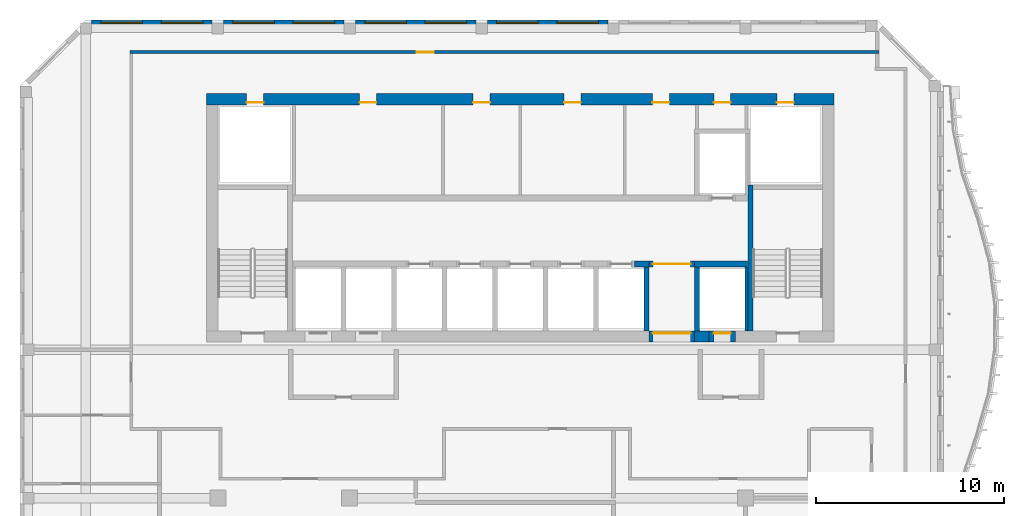
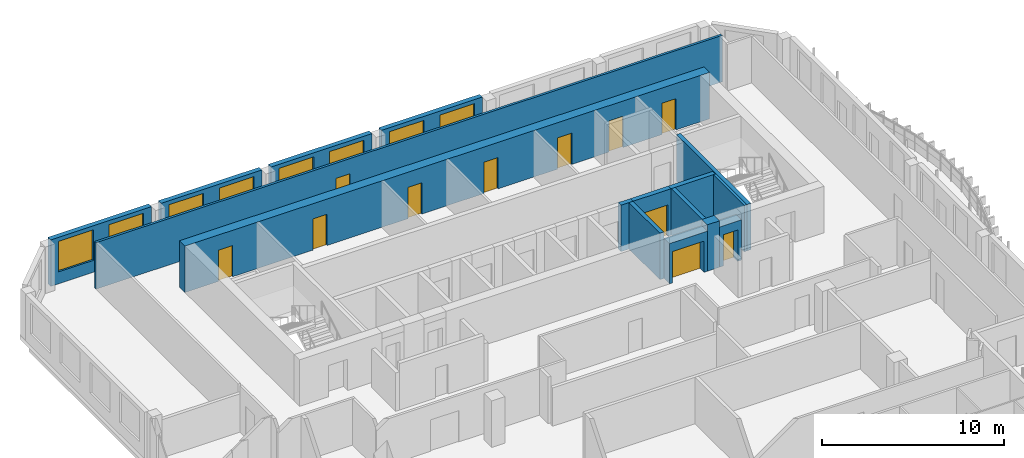
# One storey, part 7 of 17: 16 walls, 11 doors, 8 windows, 19 openings.
"""IFC4 building model written with IfcOpenShell, lengths in metres."""

import ifcopenshell
import ifcopenshell.guid

model = None  # the IFC model being written
_history = None  # IfcOwnerHistory: only IFC2X3 demands one
_inside = {}  # id of a spatial element -> (the spatial element, [elements in it])
_under = {}  # id of a project, library or spatial element -> (it, [spatial elements below it])
_declared = {}  # id of a project -> (the project, [libraries it declares])
_typed = {}  # id of a type object -> (the type object, [elements of that type])
_made_of = {}  # id of a material, layer set ... -> (it, [elements and type objects made of it])


def new_model(schema):
    """Start an empty IFC model of exactly this schema.

    Asked for "IFC4X3", IfcOpenShell would pick the latest addendum, in which some entities
    have other attributes; the version numbers below select the first issue.
    IFC2X3 requires an IfcOwnerHistory on every rooted entity: one is made here for all.
    """
    global model, _history
    if schema == "IFC4X3":
        model = ifcopenshell.file(schema_version=(4, 3, 0, 0))
    else:
        model = ifcopenshell.file(schema=schema)
    _inside.clear()
    _under.clear()
    _declared.clear()
    _typed.clear()
    _made_of.clear()
    _history = None
    if model.schema == "IFC2X3":
        org = make("IfcOrganization", Name="unknown")
        user = make(
            "IfcPersonAndOrganization",
            ThePerson=make("IfcPerson", FamilyName="unknown"),
            TheOrganization=org,
        )
        app = make(
            "IfcApplication",
            ApplicationDeveloper=org,
            Version="unknown",
            ApplicationFullName="unknown",
            ApplicationIdentifier="unknown",
        )
        _history = make(
            "IfcOwnerHistory",
            OwningUser=user,
            OwningApplication=app,
            ChangeAction="ADDED",
            CreationDate=0,
        )
    return model


def make(cls, **values):
    """One entity of the class cls with the attributes given. An attribute that is None is left unset."""
    return model.create_entity(
        cls, **{name: value for name, value in values.items() if value is not None}
    )


def rooted(cls, **values):
    """An entity with a GlobalId (a new one), such as an element, a storey or a relation."""
    return make(cls, GlobalId=ifcopenshell.guid.new(), OwnerHistory=_history, **values)


def si_unit(unit_type, name, prefix=None):
    """IfcSIUnit, for example si_unit("LENGTHUNIT", "METRE", prefix="MILLI")."""
    return make("IfcSIUnit", UnitType=unit_type, Prefix=prefix, Name=name)


def assignment(units):
    """IfcUnitAssignment: the units of a project."""
    return None if units is None else make("IfcUnitAssignment", Units=units)


def point(xyz):
    """IfcCartesianPoint."""
    return None if xyz is None else make("IfcCartesianPoint", Coordinates=xyz)


def direction(xyz):
    """IfcDirection."""
    return None if xyz is None else make("IfcDirection", DirectionRatios=xyz)


def frame(location, z_axis=None, x_axis=None):
    """IfcAxis2Placement3D, a coordinate frame: its origin and axes. An axis left out is left unset."""
    return make(
        "IfcAxis2Placement3D",
        Location=point(location),
        Axis=direction(z_axis),
        RefDirection=direction(x_axis),
    )


def frame_2d(location, x_axis=None):
    """IfcAxis2Placement2D, a coordinate frame in the plane: its origin and x axis."""
    return make(
        "IfcAxis2Placement2D", Location=point(location), RefDirection=direction(x_axis)
    )


def origin():
    """The frame at (0, 0, 0) with its axes left unset."""
    return frame((0.0, 0.0, 0.0))


def place(relative_to, where):
    """IfcLocalPlacement: puts the frame where relative to a parent placement (None: the world)."""
    return make(
        "IfcLocalPlacement", PlacementRelTo=relative_to, RelativePlacement=where
    )


def context(
    kind, dimensions, precision=None, world=None, true_north=None, identifier=None
):
    """IfcGeometricRepresentationContext, for example the 3D "Model" context."""
    return make(
        "IfcGeometricRepresentationContext",
        ContextIdentifier=identifier,
        ContextType=kind,
        CoordinateSpaceDimension=dimensions,
        Precision=precision,
        WorldCoordinateSystem=world,
        TrueNorth=true_north,
    )


def subcontext(parent, identifier, kind, view, scale=None):
    """IfcGeometricRepresentationSubContext, for example "Body" below "Model"."""
    return make(
        "IfcGeometricRepresentationSubContext",
        ContextIdentifier=identifier,
        ContextType=kind,
        ParentContext=parent,
        TargetScale=scale,
        TargetView=view,
    )


def project(units=None, contexts=None):
    """IfcProject with its units and contexts."""
    return rooted(
        "IfcProject",
        Name="project",
        RepresentationContexts=contexts,
        UnitsInContext=assignment(units),
    )


def spatial(cls, under=None, at=None, **own):
    """A site, building, storey or space (cls), placed at a placement, below another one or the project."""
    s = rooted(cls, ObjectPlacement=at, **own)
    if under is not None:
        _under.setdefault(under.id(), (under, []))[1].append(s)
    return s


def profile(cls, at=None, kind="AREA", **sizes):
    """A parametric profile (cls). Its sizes go by their IFC names, for example OverallWidth=200.0."""
    return make(cls, ProfileType=kind, Position=at, **sizes)


def rectangle(**sizes):
    """IfcRectangleProfileDef."""
    return profile("IfcRectangleProfileDef", **sizes)


def extrude(swept, where, along, depth):
    """IfcExtrudedAreaSolid: the profile swept, set in the frame where, extruded along a direction by depth."""
    return make(
        "IfcExtrudedAreaSolid",
        SweptArea=swept,
        Position=where,
        ExtrudedDirection=direction(along),
        Depth=depth,
    )


def shape(context_of_items, identifier, shape_type, items):
    """IfcShapeRepresentation: the items that make up one representation, for example the "Body"."""
    return make(
        "IfcShapeRepresentation",
        ContextOfItems=context_of_items,
        RepresentationIdentifier=identifier,
        RepresentationType=shape_type,
        Items=items,
    )


def source(mapping_origin, context_of_items, identifier, shape_type, items):
    """IfcRepresentationMap: a shape defined once, which mapped items show again and again."""
    return make(
        "IfcRepresentationMap",
        MappingOrigin=mapping_origin,
        MappedRepresentation=shape(context_of_items, identifier, shape_type, items),
    )


def transform(
    local_origin,
    x_axis=None,
    y_axis=None,
    z_axis=None,
    scale=None,
    scale2=None,
    scale3=None,
    uniform=True,
):
    """IfcCartesianTransformationOperator3D, or its non-uniform kind. x_axis, y_axis, z_axis: its Axis1, 2, 3."""
    if uniform:
        return make(
            "IfcCartesianTransformationOperator3D",
            Axis1=direction(x_axis),
            Axis2=direction(y_axis),
            LocalOrigin=point(local_origin),
            Scale=scale,
            Axis3=direction(z_axis),
        )
    return make(
        "IfcCartesianTransformationOperator3DnonUniform",
        Axis1=direction(x_axis),
        Axis2=direction(y_axis),
        LocalOrigin=point(local_origin),
        Scale=scale,
        Axis3=direction(z_axis),
        Scale2=scale2,
        Scale3=scale3,
    )


def mapped(mapping_source, mapping_target):
    """IfcMappedItem: shows the shape of a source again, moved by a transform."""
    return make(
        "IfcMappedItem", MappingSource=mapping_source, MappingTarget=mapping_target
    )


def material(Name=None, Category=None):
    """IfcMaterial."""
    return make("IfcMaterial", Name=Name, Category=Category)


def layer(
    of_material, thickness, ventilated=None, Name=None, Category=None, Priority=None
):
    """IfcMaterialLayer: one layer of a wall or slab, of a material (None: an air gap)."""
    return make(
        "IfcMaterialLayer",
        Material=of_material,
        LayerThickness=thickness,
        IsVentilated=ventilated,
        Name=Name,
        Category=Category,
        Priority=Priority,
    )


def layer_set(layers, Name=None):
    """IfcMaterialLayerSet."""
    return make("IfcMaterialLayerSet", MaterialLayers=layers, LayerSetName=Name)


def made_of(thing, what):
    """Note that an element or type object is made of a material, layer set ...; save() writes the relation."""
    if what is not None:
        _made_of.setdefault(what.id(), (what, []))[1].append(thing)
    return thing


def type_object(cls, material=None, **own):
    """A type object (cls), such as IfcWallType, which elements share."""
    return made_of(rooted(cls, **own), material)


def element(
    cls,
    number,
    at=None,
    inside=None,
    cuts=None,
    type_object=None,
    material=None,
    context=None,
    identifier="Body",
    shape_type=None,
    held_by="IfcProductDefinitionShape",
    body=None,
    shapes=None,
    **own,
):
    """One element of the class cls, such as IfcWall. Its Tag is "e" and its number.

    at: its placement. inside: the storey or other place that contains it. cuts: it is an
    opening in that element (IfcRelVoidsElement). A single representation is given by context,
    identifier, shape_type and body (its items); several are given by shapes. held_by: the class
    of the entity that holds the representations. save() writes the other relations.
    """
    e = rooted(cls, Tag="e%d" % number, ObjectPlacement=at, **own)
    if body is not None:
        shapes = [shape(context, identifier, shape_type, body)]
    if shapes is not None:
        e.Representation = make(held_by, Representations=shapes)
    if inside is not None:
        _inside.setdefault(inside.id(), (inside, []))[1].append(e)
    if cuts is not None:
        rooted(
            "IfcRelVoidsElement", RelatingBuildingElement=cuts, RelatedOpeningElement=e
        )
    if type_object is not None:
        _typed.setdefault(type_object.id(), (type_object, []))[1].append(e)
    return made_of(e, material)


def fill(opening, filler):
    """IfcRelFillsElement: the door or window that sits in an opening."""
    return rooted(
        "IfcRelFillsElement",
        RelatingOpeningElement=opening,
        RelatedBuildingElement=filler,
    )


def aggregate(whole, parts):
    """IfcRelAggregates: a whole, such as a stair, and the parts it consists of."""
    return rooted("IfcRelAggregates", RelatingObject=whole, RelatedObjects=parts)


def save(model, path):
    """Write the relations noted so far, then the file.

    IfcRelAggregates (storeys below a building ...), IfcRelContainedInSpatialStructure (elements
    in a storey), IfcRelDefinesByType, IfcRelAssociatesMaterial and IfcRelDeclares: one each for
    every whole, place, type object, material and project.
    """
    for whole, parts in _under.values():
        aggregate(whole, parts)
    for where, things in _inside.values():
        rooted(
            "IfcRelContainedInSpatialStructure",
            RelatedElements=things,
            RelatingStructure=where,
        )
    for kind, things in _typed.values():
        rooted("IfcRelDefinesByType", RelatedObjects=things, RelatingType=kind)
    for what, things in _made_of.values():
        rooted("IfcRelAssociatesMaterial", RelatedObjects=things, RelatingMaterial=what)
    for by, libraries in _declared.values():
        rooted("IfcRelDeclares", RelatingContext=by, RelatedDefinitions=libraries)
    model.write(path)


model = new_model("IFC4")

# Units and contexts
model_context = context("Model", 3, precision=1e-05, world=origin(), true_north=direction((0.0, 1.0)))
body_context = subcontext(model_context, "Body", "Model", "MODEL_VIEW")
ifc_project = project(units=[si_unit("LENGTHUNIT", "METRE"), si_unit("AREAUNIT", "SQUARE_METRE"), si_unit("VOLUMEUNIT", "CUBIC_METRE"), si_unit("PLANEANGLEUNIT", "RADIAN"), si_unit("MASSUNIT", "GRAM", prefix="KILO")], contexts=[model_context])

# Site, building, storey
site_placement = place(None, origin())
site = spatial("IfcSite", under=ifc_project, at=site_placement, CompositionType="ELEMENT")
building_placement = place(site_placement, origin())
building = spatial("IfcBuilding", under=site, at=building_placement, Name="Kilnfold Tower and Market Hall", CompositionType="ELEMENT")
storey_placement = place(building_placement, frame((0.0, 0.0, 301.800048828125)))
storey = spatial("IfcBuildingStorey", under=building, at=storey_placement, Name="L75", CompositionType="ELEMENT", Elevation=301.800048828125)

# Wall, opening, door
ifc_material_1 = material(Name="Gypsum board on steel studs", Category="steel")
ifc_layer_1 = layer(ifc_material_1, 0.14990234375)
ifc_layer_set_1 = layer_set([ifc_layer_1], Name="Gypsum board on steel studs")
wall_type_1 = type_object("IfcWallType", Name="WALL CORRIDOR 150", PredefinedType="PARTITIONING", material=ifc_layer_set_1)
wall_1_placement = place(storey_placement, frame((20.087890625, 23.800048828125, 0.0), z_axis=(0.0, 0.0, 1.0), x_axis=(-1.0, 0.0, 0.0)))
wall_1 = element("IfcWall", 1, at=wall_1_placement, inside=storey, type_object=wall_type_1, Name="Partition LY45.8", PredefinedType="PARTITIONING", context=body_context, shape_type="SweptSolid", body=[
    extrude(rectangle(XDim=39.762939453125, YDim=0.14990234375, at=frame_2d((19.88134765625, 0.0))), origin(), (0.0, 0.0, 1.0), 3.119873046875),
])
opening_1_placement = place(wall_1_placement, frame((23.637939453125, 0.0, 0.0)))
opening_1 = element("IfcOpeningElement", 2, at=opening_1_placement, cuts=wall_1, Name="Opening D2", PredefinedType="OPENING", context=body_context, shape_type="SweptSolid", body=[
    extrude(rectangle(XDim=0.89990234375, YDim=2.10009765625, at=frame_2d((0.449951171875, 1.050048828125))), frame((0.0, 0.0849609375, 0.0), z_axis=(0.0, -1.0, 0.0), x_axis=(1.0, 0.0, 0.0)), (0.0, 0.0, 1.0), 0.169921875),
])
ifc_material_2 = material(Name="Timber veneer door leaf in steel frame", Category="steel")
door_type_1 = type_object("IfcDoorType", Name="DOOR ROOM 900 X2100", OperationType="NOTDEFINED", PredefinedType="DOOR", material=ifc_material_2)
door_1_placement = place(opening_1_placement, origin())
door_1 = element("IfcDoor", 3, at=door_1_placement, inside=storey, type_object=door_type_1, Name="Door D2", OperationType="SINGLE_SWING_LEFT", OverallHeight=2.10009765625, OverallWidth=0.89990234375, PredefinedType="DOOR", context=body_context, shape_type="SweptSolid", body=[
    extrude(rectangle(XDim=0.89990234375, YDim=2.10009765625, at=frame_2d((0.449951171875, 1.050048828125))), frame((0.0, 0.02490234375, 0.0), z_axis=(0.0, -1.0, 0.0), x_axis=(1.0, 0.0, 0.0)), (0.0, 0.0, 1.0), 0.050048828125),
])
fill(opening_1, door_1)

# Walls
ifc_material_3 = material(Name="Concrete C50", Category="concrete")
ifc_layer_2 = layer(ifc_material_3, 0.25)
ifc_layer_set_2 = layer_set([ifc_layer_2], Name="Concrete C50")
wall_type_2 = type_object("IfcWallType", Name="CORE WALL 250 C50", PredefinedType="SHEAR", material=ifc_layer_set_2)
shared_shape_1 = source(origin(), body_context, "Body", "SweptSolid", [
    extrude(rectangle(XDim=7.75, YDim=0.25, at=frame_2d((3.875, 0.0))), origin(), (0.0, 0.0, 1.0), 3.119873046875),
])
wall_2_placement = place(storey_placement, frame((13.27490234375, 9.0, 0.0), z_axis=(0.0, 0.0, 1.0), x_axis=(0.0, 1.0, 0.0)))
element("IfcWall", 4, at=wall_2_placement, inside=storey, type_object=wall_type_2, Name="Stair enclosure ST2", PredefinedType="SHEAR", context=body_context, shape_type="MappedRepresentation", body=[
    mapped(shared_shape_1, transform((0.0, 0.0, 0.0))),
])
ifc_material_4 = material(Name="Concrete C50", Category="concrete")
ifc_layer_3 = layer(ifc_material_4, 0.300048828125)
ifc_layer_set_3 = layer_set([ifc_layer_3], Name="Concrete C50")
wall_type_3 = type_object("IfcWallType", Name="CORE WALL 300 C50", PredefinedType="SHEAR", material=ifc_layer_set_3)
shared_shape_2 = source(origin(), body_context, "Body", "SweptSolid", [
    extrude(rectangle(XDim=0.77978515625, YDim=0.300048828125, at=frame_2d((0.389892578125, 0.0))), origin(), (0.0, 0.0, 1.0), 3.119873046875),
])
wall_3_placement = place(storey_placement, frame((7.110107421875, 12.550048828125, 0.0), z_axis=(0.0, 0.0, 1.0), x_axis=(1.0, 0.0, 0.0)))
element("IfcWall", 5, at=wall_3_placement, inside=storey, type_object=wall_type_3, Name="Core spine wall", PredefinedType="SHEAR", context=body_context, shape_type="MappedRepresentation", body=[
    mapped(shared_shape_2, transform((0.0, 0.0, 0.0))),
])
shared_shape_3 = source(origin(), body_context, "Body", "SweptSolid", [
    extrude(rectangle(XDim=2.820068359375, YDim=0.300048828125, at=frame_2d((1.41015625, 0.0))), origin(), (0.0, 0.0, 1.0), 3.119873046875),
])
wall_4_placement = place(storey_placement, frame((10.2900390625, 12.550048828125, 0.0), z_axis=(0.0, 0.0, 1.0), x_axis=(1.0, 0.0, 0.0)))
element("IfcWall", 6, at=wall_4_placement, inside=storey, type_object=wall_type_3, Name="Core spine wall", PredefinedType="SHEAR", context=body_context, shape_type="MappedRepresentation", body=[
    mapped(shared_shape_3, transform((0.0, 0.0, 0.0))),
])
ifc_material_5 = material(Name="Concrete C50", Category="concrete")
ifc_layer_4 = layer(ifc_material_5, 0.60009765625)
ifc_layer_set_4 = layer_set([ifc_layer_4], Name="Concrete C50")
wall_type_4 = type_object("IfcWallType", Name="CORE WALL 600 C50", PredefinedType="SHEAR", material=ifc_layer_set_4)
shared_shape_4 = source(origin(), body_context, "Body", "SweptSolid", [
    extrude(rectangle(XDim=0.780029296875, YDim=0.60009765625, at=frame_2d((0.39013671875, 0.0))), origin(), (0.0, 0.0, 1.0), 3.119873046875),
])
wall_5_placement = place(storey_placement, frame((10.2900390625, 8.699951171875, 0.0), z_axis=(0.0, 0.0, 1.0), x_axis=(1.0, 0.0, 0.0)))
element("IfcWall", 7, at=wall_5_placement, inside=storey, type_object=wall_type_4, Name="Core outer wall south", PredefinedType="SHEAR", context=body_context, shape_type="MappedRepresentation", body=[
    mapped(shared_shape_4, transform((0.0, 0.0, 0.0))),
])

# Wall, openings, doors
shared_shape_5 = source(origin(), body_context, "Body", "SweptSolid", [
    extrude(rectangle(XDim=33.300048828125, YDim=0.60009765625, at=frame_2d((16.64990234375, 0.0))), origin(), (0.0, 0.0, 1.0), 3.119873046875),
])
wall_6_placement = place(storey_placement, frame((-15.60009765625, 21.300048828125, 0.0), z_axis=(0.0, 0.0, 1.0), x_axis=(1.0, 0.0, 0.0)))
wall_6 = element("IfcWall", 8, at=wall_6_placement, inside=storey, type_object=wall_type_4, Name="Core outer wall north", PredefinedType="SHEAR", context=body_context, shape_type="MappedRepresentation", body=[
    mapped(shared_shape_5, transform((0.0, 0.0, 0.0))),
])
opening_2_placement = place(wall_6_placement, frame((8.119873046875, 0.0, 0.0)))
opening_2 = element("IfcOpeningElement", 9, at=opening_2_placement, cuts=wall_6, Name="Opening KD1", PredefinedType="OPENING", context=body_context, shape_type="SweptSolid", body=[
    extrude(rectangle(XDim=0.89990234375, YDim=2.10009765625, at=frame_2d((0.449951171875, 1.050048828125))), frame((0.0, 0.31005859375, 0.0), z_axis=(0.0, -1.0, 0.0), x_axis=(1.0, 0.0, 0.0)), (0.0, 0.0, 1.0), 0.6201171875),
])
opening_3_placement = place(wall_6_placement, frame((14.14990234375, 0.0, 0.0)))
opening_3 = element("IfcOpeningElement", 10, at=opening_3_placement, cuts=wall_6, Name="Opening KD1", PredefinedType="OPENING", context=body_context, shape_type="SweptSolid", body=[
    extrude(rectangle(XDim=0.89990234375, YDim=2.10009765625, at=frame_2d((0.449951171875, 1.050048828125))), frame((0.0, 0.31005859375, 0.0), z_axis=(0.0, -1.0, 0.0), x_axis=(1.0, 0.0, 0.0)), (0.0, 0.0, 1.0), 0.6201171875),
])
opening_4_placement = place(wall_6_placement, frame((18.973876953125, 0.0, 0.0)))
opening_4 = element("IfcOpeningElement", 11, at=opening_4_placement, cuts=wall_6, Name="Opening KD1", PredefinedType="OPENING", context=body_context, shape_type="SweptSolid", body=[
    extrude(rectangle(XDim=0.89990234375, YDim=2.10009765625, at=frame_2d((0.449951171875, 1.050048828125))), frame((0.0, 0.31005859375, 0.0), z_axis=(0.0, -1.0, 0.0), x_axis=(1.0, 0.0, 0.0)), (0.0, 0.0, 1.0), 0.6201171875),
])
opening_5_placement = place(wall_6_placement, frame((23.663818359375, 0.0, 0.0)))
opening_5 = element("IfcOpeningElement", 12, at=opening_5_placement, cuts=wall_6, Name="Opening KD1", PredefinedType="OPENING", context=body_context, shape_type="SweptSolid", body=[
    extrude(rectangle(XDim=0.89990234375, YDim=2.10009765625, at=frame_2d((0.449951171875, 1.050048828125))), frame((0.0, 0.31005859375, 0.0), z_axis=(0.0, -1.0, 0.0), x_axis=(1.0, 0.0, 0.0)), (0.0, 0.0, 1.0), 0.6201171875),
])
opening_6_placement = place(wall_6_placement, frame((26.919921875, 0.0, 0.0)))
opening_6 = element("IfcOpeningElement", 13, at=opening_6_placement, cuts=wall_6, Name="Opening KD1", PredefinedType="OPENING", context=body_context, shape_type="SweptSolid", body=[
    extrude(rectangle(XDim=0.89990234375, YDim=2.10009765625, at=frame_2d((0.449951171875, 1.050048828125))), frame((0.0, 0.31005859375, 0.0), z_axis=(0.0, -1.0, 0.0), x_axis=(1.0, 0.0, 0.0)), (0.0, 0.0, 1.0), 0.6201171875),
])
opening_7_placement = place(wall_6_placement, frame((2.125, 0.0, 0.0)))
opening_7 = element("IfcOpeningElement", 14, at=opening_7_placement, cuts=wall_6, Name="Opening KD1", PredefinedType="OPENING", context=body_context, shape_type="SweptSolid", body=[
    extrude(rectangle(XDim=0.89990234375, YDim=2.10009765625, at=frame_2d((0.449951171875, 1.050048828125))), frame((0.0, 0.31005859375, 0.0), z_axis=(0.0, -1.0, 0.0), x_axis=(1.0, 0.0, 0.0)), (0.0, 0.0, 1.0), 0.6201171875),
])
opening_8_placement = place(wall_6_placement, frame((30.27490234375, 0.0, 0.0)))
opening_8 = element("IfcOpeningElement", 15, at=opening_8_placement, cuts=wall_6, Name="Opening KD1", PredefinedType="OPENING", context=body_context, shape_type="SweptSolid", body=[
    extrude(rectangle(XDim=0.89990234375, YDim=2.10009765625, at=frame_2d((0.449951171875, 1.050048828125))), frame((0.0, 0.31005859375, 0.0), z_axis=(0.0, -1.0, 0.0), x_axis=(1.0, 0.0, 0.0)), (0.0, 0.0, 1.0), 0.6201171875),
])
ifc_material_6 = material(Name="Steel door set with fire-resisting leaf", Category="steel")
door_type_2 = type_object("IfcDoorType", Name="SERVICE DOOR 900X2100", OperationType="NOTDEFINED", PredefinedType="DOOR", material=ifc_material_6)
door_2_placement = place(opening_2_placement, origin())
door_2 = element("IfcDoor", 16, at=door_2_placement, inside=storey, type_object=door_type_2, Name="Core service door", OperationType="SINGLE_SWING_RIGHT", OverallHeight=2.10009765625, OverallWidth=0.89990234375, PredefinedType="DOOR", context=body_context, shape_type="SweptSolid", body=[
    extrude(rectangle(XDim=0.89990234375, YDim=2.10009765625, at=frame_2d((0.449951171875, 1.050048828125))), frame((0.0, -0.15478515625, 0.0), z_axis=(0.0, -1.0, 0.0), x_axis=(1.0, 0.0, 0.0)), (0.0, 0.0, 1.0), 0.050048828125),
])
fill(opening_2, door_2)
door_3_placement = place(opening_3_placement, origin())
door_3 = element("IfcDoor", 17, at=door_3_placement, inside=storey, type_object=door_type_2, Name="Core service door", OperationType="SINGLE_SWING_LEFT", OverallHeight=2.10009765625, OverallWidth=0.89990234375, PredefinedType="DOOR", context=body_context, shape_type="SweptSolid", body=[
    extrude(rectangle(XDim=0.89990234375, YDim=2.10009765625, at=frame_2d((0.449951171875, 1.050048828125))), frame((0.0, -0.15478515625, 0.0), z_axis=(0.0, -1.0, 0.0), x_axis=(1.0, 0.0, 0.0)), (0.0, 0.0, 1.0), 0.050048828125),
])
fill(opening_3, door_3)
door_4_placement = place(opening_4_placement, origin())
door_4 = element("IfcDoor", 18, at=door_4_placement, inside=storey, type_object=door_type_2, Name="Core service door", OperationType="SINGLE_SWING_RIGHT", OverallHeight=2.10009765625, OverallWidth=0.89990234375, PredefinedType="DOOR", context=body_context, shape_type="SweptSolid", body=[
    extrude(rectangle(XDim=0.89990234375, YDim=2.10009765625, at=frame_2d((0.449951171875, 1.050048828125))), frame((0.0, -0.15478515625, 0.0), z_axis=(0.0, -1.0, 0.0), x_axis=(1.0, 0.0, 0.0)), (0.0, 0.0, 1.0), 0.050048828125),
])
fill(opening_4, door_4)
door_5_placement = place(opening_5_placement, origin())
door_5 = element("IfcDoor", 19, at=door_5_placement, inside=storey, type_object=door_type_2, Name="Core service door", OperationType="SINGLE_SWING_LEFT", OverallHeight=2.10009765625, OverallWidth=0.89990234375, PredefinedType="DOOR", context=body_context, shape_type="SweptSolid", body=[
    extrude(rectangle(XDim=0.89990234375, YDim=2.10009765625, at=frame_2d((0.449951171875, 1.050048828125))), frame((0.0, -0.15478515625, 0.0), z_axis=(0.0, -1.0, 0.0), x_axis=(1.0, 0.0, 0.0)), (0.0, 0.0, 1.0), 0.050048828125),
])
fill(opening_5, door_5)
door_6_placement = place(opening_6_placement, origin())
door_6 = element("IfcDoor", 20, at=door_6_placement, inside=storey, type_object=door_type_2, Name="Core service door", OperationType="SINGLE_SWING_RIGHT", OverallHeight=2.10009765625, OverallWidth=0.89990234375, PredefinedType="DOOR", context=body_context, shape_type="SweptSolid", body=[
    extrude(rectangle(XDim=0.89990234375, YDim=2.10009765625, at=frame_2d((0.449951171875, 1.050048828125))), frame((0.0, -0.15478515625, 0.0), z_axis=(0.0, -1.0, 0.0), x_axis=(1.0, 0.0, 0.0)), (0.0, 0.0, 1.0), 0.050048828125),
])
fill(opening_6, door_6)
door_7_placement = place(opening_7_placement, origin())
door_7 = element("IfcDoor", 21, at=door_7_placement, inside=storey, type_object=door_type_2, Name="Electrical riser access door", OperationType="SINGLE_SWING_LEFT", OverallHeight=2.10009765625, OverallWidth=0.89990234375, PredefinedType="DOOR", context=body_context, shape_type="SweptSolid", body=[
    extrude(rectangle(XDim=0.89990234375, YDim=2.10009765625, at=frame_2d((0.449951171875, 1.050048828125))), frame((0.0, -0.15478515625, 0.0), z_axis=(0.0, -1.0, 0.0), x_axis=(1.0, 0.0, 0.0)), (0.0, 0.0, 1.0), 0.050048828125),
])
fill(opening_7, door_7)
door_8_placement = place(opening_8_placement, origin())
door_8 = element("IfcDoor", 22, at=door_8_placement, inside=storey, type_object=door_type_2, Name="Mechanical riser access door", OperationType="SINGLE_SWING_RIGHT", OverallHeight=2.10009765625, OverallWidth=0.89990234375, PredefinedType="DOOR", context=body_context, shape_type="SweptSolid", body=[
    extrude(rectangle(XDim=0.89990234375, YDim=2.10009765625, at=frame_2d((0.449951171875, 1.050048828125))), frame((0.0, -0.15478515625, 0.0), z_axis=(0.0, -1.0, 0.0), x_axis=(1.0, 0.0, 0.0)), (0.0, 0.0, 1.0), 0.050048828125),
])
fill(opening_8, door_8)

# Wall, openings, windows
ifc_material_7 = material(Name="Precast concrete C50/60", Category="concrete")
ifc_layer_5 = layer(ifc_material_7, 0.300048828125)
ifc_layer_set_5 = layer_set([ifc_layer_5], Name="Precast concrete C50/60")
wall_type_5 = type_object("IfcWallType", Name="PRECAST WALL 300", PredefinedType="SOLIDWALL", material=ifc_layer_set_5)
shared_shape_6 = source(origin(), body_context, "Body", "SweptSolid", [
    extrude(rectangle(XDim=6.39990234375, YDim=0.300048828125, at=frame_2d((3.199951171875, 0.0))), origin(), (0.0, 0.0, 1.0), 3.119873046875),
])
wall_7_placement = place(storey_placement, frame((5.699951171875, 25.35009765625, 0.0), z_axis=(0.0, 0.0, 1.0), x_axis=(-1.0, 0.0, 0.0)))
wall_7 = element("IfcWall", 23, at=wall_7_placement, inside=storey, type_object=wall_type_5, Name="External wall L75 N", PredefinedType="SOLIDWALL", context=body_context, shape_type="MappedRepresentation", body=[
    mapped(shared_shape_6, transform((0.0, 0.0, 0.0))),
])
opening_9_placement = place(wall_7_placement, frame((0.5, 0.0, 0.800048828125)))
opening_9 = element("IfcOpeningElement", 24, at=opening_9_placement, cuts=wall_7, Name="Opening W3", PredefinedType="OPENING", context=body_context, shape_type="SweptSolid", body=[
    extrude(rectangle(XDim=2.199951171875, YDim=2.050048828125, at=frame_2d((1.10009765625, 1.02490234375))), frame((0.0, 0.16015625, 0.0), z_axis=(0.0, -1.0, 0.0), x_axis=(1.0, 0.0, 0.0)), (0.0, 0.0, 1.0), 0.320068359375),
])
opening_10_placement = place(wall_7_placement, frame((3.699951171875, 0.0, 0.800048828125)))
opening_10 = element("IfcOpeningElement", 25, at=opening_10_placement, cuts=wall_7, Name="Opening W3", PredefinedType="OPENING", context=body_context, shape_type="SweptSolid", body=[
    extrude(rectangle(XDim=2.199951171875, YDim=2.050048828125, at=frame_2d((1.10009765625, 1.02490234375))), frame((0.0, 0.16015625, 0.0), z_axis=(0.0, -1.0, 0.0), x_axis=(1.0, 0.0, 0.0)), (0.0, 0.0, 1.0), 0.320068359375),
])
ifc_material_8 = material(Name="Aluminium frame and double glazing", Category="aluminium")
window_type = type_object("IfcWindowType", Name="WINDOW W3 2200X2050", PartitioningType="SINGLE_PANEL", PredefinedType="WINDOW", material=ifc_material_8)
window_1_placement = place(opening_9_placement, origin())
window_1 = element("IfcWindow", 26, at=window_1_placement, inside=storey, type_object=window_type, Name="Window W3 L75 N-1", OverallHeight=2.050048828125, OverallWidth=2.199951171875, PartitioningType="SINGLE_PANEL", PredefinedType="WINDOW", context=body_context, shape_type="SweptSolid", body=[
    extrude(rectangle(XDim=2.199951171875, YDim=2.050048828125, at=frame_2d((1.10009765625, 1.02490234375))), frame((0.0, 0.030029296875, 0.0), z_axis=(0.0, -1.0, 0.0), x_axis=(1.0, 0.0, 0.0)), (0.0, 0.0, 1.0), 0.06005859375),
])
fill(opening_9, window_1)
window_2_placement = place(opening_10_placement, origin())
window_2 = element("IfcWindow", 27, at=window_2_placement, inside=storey, type_object=window_type, Name="Window W3 L75 N-2", OverallHeight=2.050048828125, OverallWidth=2.199951171875, PartitioningType="SINGLE_PANEL", PredefinedType="WINDOW", context=body_context, shape_type="SweptSolid", body=[
    extrude(rectangle(XDim=2.199951171875, YDim=2.050048828125, at=frame_2d((1.10009765625, 1.02490234375))), frame((0.0, 0.030029296875, 0.0), z_axis=(0.0, -1.0, 0.0), x_axis=(1.0, 0.0, 0.0)), (0.0, 0.0, 1.0), 0.06005859375),
])
fill(opening_10, window_2)

wall_8_placement = place(storey_placement, frame((-1.300048828125, 25.35009765625, 0.0), z_axis=(0.0, 0.0, 1.0), x_axis=(-1.0, 0.0, 0.0)))
wall_8 = element("IfcWall", 28, at=wall_8_placement, inside=storey, type_object=wall_type_5, Name="External wall L75 N", PredefinedType="SOLIDWALL", context=body_context, shape_type="MappedRepresentation", body=[
    mapped(shared_shape_6, transform((0.0, 0.0, 0.0))),
])
opening_11_placement = place(wall_8_placement, frame((0.5, 0.0, 0.800048828125)))
opening_11 = element("IfcOpeningElement", 29, at=opening_11_placement, cuts=wall_8, Name="Opening W3", PredefinedType="OPENING", context=body_context, shape_type="SweptSolid", body=[
    extrude(rectangle(XDim=2.199951171875, YDim=2.050048828125, at=frame_2d((1.10009765625, 1.02490234375))), frame((0.0, 0.16015625, 0.0), z_axis=(0.0, -1.0, 0.0), x_axis=(1.0, 0.0, 0.0)), (0.0, 0.0, 1.0), 0.320068359375),
])
opening_12_placement = place(wall_8_placement, frame((3.699951171875, 0.0, 0.800048828125)))
opening_12 = element("IfcOpeningElement", 30, at=opening_12_placement, cuts=wall_8, Name="Opening W3", PredefinedType="OPENING", context=body_context, shape_type="SweptSolid", body=[
    extrude(rectangle(XDim=2.199951171875, YDim=2.050048828125, at=frame_2d((1.10009765625, 1.02490234375))), frame((0.0, 0.16015625, 0.0), z_axis=(0.0, -1.0, 0.0), x_axis=(1.0, 0.0, 0.0)), (0.0, 0.0, 1.0), 0.320068359375),
])
window_3_placement = place(opening_11_placement, origin())
window_3 = element("IfcWindow", 31, at=window_3_placement, inside=storey, type_object=window_type, Name="Window W3 L75 N-1", OverallHeight=2.050048828125, OverallWidth=2.199951171875, PartitioningType="SINGLE_PANEL", PredefinedType="WINDOW", context=body_context, shape_type="SweptSolid", body=[
    extrude(rectangle(XDim=2.199951171875, YDim=2.050048828125, at=frame_2d((1.10009765625, 1.02490234375))), frame((0.0, 0.030029296875, 0.0), z_axis=(0.0, -1.0, 0.0), x_axis=(1.0, 0.0, 0.0)), (0.0, 0.0, 1.0), 0.06005859375),
])
fill(opening_11, window_3)
window_4_placement = place(opening_12_placement, origin())
window_4 = element("IfcWindow", 32, at=window_4_placement, inside=storey, type_object=window_type, Name="Window W3 L75 N-2", OverallHeight=2.050048828125, OverallWidth=2.199951171875, PartitioningType="SINGLE_PANEL", PredefinedType="WINDOW", context=body_context, shape_type="SweptSolid", body=[
    extrude(rectangle(XDim=2.199951171875, YDim=2.050048828125, at=frame_2d((1.10009765625, 1.02490234375))), frame((0.0, 0.030029296875, 0.0), z_axis=(0.0, -1.0, 0.0), x_axis=(1.0, 0.0, 0.0)), (0.0, 0.0, 1.0), 0.06005859375),
])
fill(opening_12, window_4)

wall_9_placement = place(storey_placement, frame((-8.300048828125, 25.35009765625, 0.0), z_axis=(0.0, 0.0, 1.0), x_axis=(-1.0, 0.0, 0.0)))
wall_9 = element("IfcWall", 33, at=wall_9_placement, inside=storey, type_object=wall_type_5, Name="External wall L75 N", PredefinedType="SOLIDWALL", context=body_context, shape_type="MappedRepresentation", body=[
    mapped(shared_shape_6, transform((0.0, 0.0, 0.0))),
])
opening_13_placement = place(wall_9_placement, frame((0.5, 0.0, 0.800048828125)))
opening_13 = element("IfcOpeningElement", 34, at=opening_13_placement, cuts=wall_9, Name="Opening W3", PredefinedType="OPENING", context=body_context, shape_type="SweptSolid", body=[
    extrude(rectangle(XDim=2.199951171875, YDim=2.050048828125, at=frame_2d((1.10009765625, 1.02490234375))), frame((0.0, 0.16015625, 0.0), z_axis=(0.0, -1.0, 0.0), x_axis=(1.0, 0.0, 0.0)), (0.0, 0.0, 1.0), 0.320068359375),
])
opening_14_placement = place(wall_9_placement, frame((3.699951171875, 0.0, 0.800048828125)))
opening_14 = element("IfcOpeningElement", 35, at=opening_14_placement, cuts=wall_9, Name="Opening W3", PredefinedType="OPENING", context=body_context, shape_type="SweptSolid", body=[
    extrude(rectangle(XDim=2.199951171875, YDim=2.050048828125, at=frame_2d((1.10009765625, 1.02490234375))), frame((0.0, 0.16015625, 0.0), z_axis=(0.0, -1.0, 0.0), x_axis=(1.0, 0.0, 0.0)), (0.0, 0.0, 1.0), 0.320068359375),
])
window_5_placement = place(opening_13_placement, origin())
window_5 = element("IfcWindow", 36, at=window_5_placement, inside=storey, type_object=window_type, Name="Window W3 L75 N-1", OverallHeight=2.050048828125, OverallWidth=2.199951171875, PartitioningType="SINGLE_PANEL", PredefinedType="WINDOW", context=body_context, shape_type="SweptSolid", body=[
    extrude(rectangle(XDim=2.199951171875, YDim=2.050048828125, at=frame_2d((1.10009765625, 1.02490234375))), frame((0.0, 0.030029296875, 0.0), z_axis=(0.0, -1.0, 0.0), x_axis=(1.0, 0.0, 0.0)), (0.0, 0.0, 1.0), 0.06005859375),
])
fill(opening_13, window_5)
window_6_placement = place(opening_14_placement, origin())
window_6 = element("IfcWindow", 37, at=window_6_placement, inside=storey, type_object=window_type, Name="Window W3 L75 N-2", OverallHeight=2.050048828125, OverallWidth=2.199951171875, PartitioningType="SINGLE_PANEL", PredefinedType="WINDOW", context=body_context, shape_type="SweptSolid", body=[
    extrude(rectangle(XDim=2.199951171875, YDim=2.050048828125, at=frame_2d((1.10009765625, 1.02490234375))), frame((0.0, 0.030029296875, 0.0), z_axis=(0.0, -1.0, 0.0), x_axis=(1.0, 0.0, 0.0)), (0.0, 0.0, 1.0), 0.06005859375),
])
fill(opening_14, window_6)

wall_10_placement = place(storey_placement, frame((-15.300048828125, 25.35009765625, 0.0), z_axis=(0.0, 0.0, 1.0), x_axis=(-1.0, 0.0, 0.0)))
wall_10 = element("IfcWall", 38, at=wall_10_placement, inside=storey, type_object=wall_type_5, Name="External wall L75 N", PredefinedType="SOLIDWALL", context=body_context, shape_type="MappedRepresentation", body=[
    mapped(shared_shape_6, transform((0.0, 0.0, 0.0))),
])
opening_15_placement = place(wall_10_placement, frame((0.5, 0.0, 0.800048828125)))
opening_15 = element("IfcOpeningElement", 39, at=opening_15_placement, cuts=wall_10, Name="Opening W3", PredefinedType="OPENING", context=body_context, shape_type="SweptSolid", body=[
    extrude(rectangle(XDim=2.199951171875, YDim=2.050048828125, at=frame_2d((1.10009765625, 1.02490234375))), frame((0.0, 0.16015625, 0.0), z_axis=(0.0, -1.0, 0.0), x_axis=(1.0, 0.0, 0.0)), (0.0, 0.0, 1.0), 0.320068359375),
])
opening_16_placement = place(wall_10_placement, frame((3.699951171875, 0.0, 0.800048828125)))
opening_16 = element("IfcOpeningElement", 40, at=opening_16_placement, cuts=wall_10, Name="Opening W3", PredefinedType="OPENING", context=body_context, shape_type="SweptSolid", body=[
    extrude(rectangle(XDim=2.199951171875, YDim=2.050048828125, at=frame_2d((1.10009765625, 1.02490234375))), frame((0.0, 0.16015625, 0.0), z_axis=(0.0, -1.0, 0.0), x_axis=(1.0, 0.0, 0.0)), (0.0, 0.0, 1.0), 0.320068359375),
])
window_7_placement = place(opening_15_placement, origin())
window_7 = element("IfcWindow", 41, at=window_7_placement, inside=storey, type_object=window_type, Name="Window W3 L75 N-1", OverallHeight=2.050048828125, OverallWidth=2.199951171875, PartitioningType="SINGLE_PANEL", PredefinedType="WINDOW", context=body_context, shape_type="SweptSolid", body=[
    extrude(rectangle(XDim=2.199951171875, YDim=2.050048828125, at=frame_2d((1.10009765625, 1.02490234375))), frame((0.0, 0.030029296875, 0.0), z_axis=(0.0, -1.0, 0.0), x_axis=(1.0, 0.0, 0.0)), (0.0, 0.0, 1.0), 0.06005859375),
])
fill(opening_15, window_7)
window_8_placement = place(opening_16_placement, origin())
window_8 = element("IfcWindow", 42, at=window_8_placement, inside=storey, type_object=window_type, Name="Window W3 L75 N-2", OverallHeight=2.050048828125, OverallWidth=2.199951171875, PartitioningType="SINGLE_PANEL", PredefinedType="WINDOW", context=body_context, shape_type="SweptSolid", body=[
    extrude(rectangle(XDim=2.199951171875, YDim=2.050048828125, at=frame_2d((1.10009765625, 1.02490234375))), frame((0.0, 0.030029296875, 0.0), z_axis=(0.0, -1.0, 0.0), x_axis=(1.0, 0.0, 0.0)), (0.0, 0.0, 1.0), 0.06005859375),
])
fill(opening_16, window_8)

# Wall, opening, door
ifc_material_9 = material(Name="Gypsum shaft wall system")
ifc_layer_6 = layer(ifc_material_9, 0.300048828125)
ifc_layer_set_6 = layer_set([ifc_layer_6], Name="Gypsum shaft wall system")
wall_type_6 = type_object("IfcWallType", Name="SHAFT WALL 300", PredefinedType="PARTITIONING", material=ifc_layer_set_6)
shared_shape_7 = source(origin(), body_context, "Body", "SweptSolid", [
    extrude(rectangle(XDim=2.400146484375, YDim=0.300048828125, at=frame_2d((1.2001953125, 0.0))), origin(), (0.0, 0.0, 1.0), 3.119873046875),
])
wall_11_placement = place(storey_placement, frame((7.889892578125, 12.550048828125, 0.0), z_axis=(0.0, 0.0, 1.0), x_axis=(1.0, 0.0, 0.0)))
wall_11 = element("IfcWall", 43, at=wall_11_placement, inside=storey, type_object=wall_type_6, Name="Lift shaft front wall", PredefinedType="PARTITIONING", context=body_context, shape_type="MappedRepresentation", body=[
    mapped(shared_shape_7, transform((0.0, 0.0, 0.0))),
])
opening_17_placement = place(wall_11_placement, frame((0.199951171875, 0.0, 0.0)))
opening_17 = element("IfcOpeningElement", 44, at=opening_17_placement, cuts=wall_11, Name="Opening VD2", PredefinedType="OPENING", context=body_context, shape_type="SweptSolid", body=[
    extrude(rectangle(XDim=2.0, YDim=2.10009765625, at=frame_2d((1.0, 1.050048828125))), frame((0.0, 0.16015625, 0.0), z_axis=(0.0, -1.0, 0.0), x_axis=(1.0, 0.0, 0.0)), (0.0, 0.0, 1.0), 0.320068359375),
])
ifc_material_10 = material(Name="Steel door set with fire-resisting leaf", Category="steel")
door_type_3 = type_object("IfcDoorType", Name="LIFT LOBBY ENTRANCE DOOR 2000X2100", OperationType="NOTDEFINED", PredefinedType="DOOR", material=ifc_material_10)
door_9_placement = place(opening_17_placement, origin())
door_9 = element("IfcDoor", 45, at=door_9_placement, inside=storey, type_object=door_type_3, Name="Lift lobby entrance door", OperationType="DOUBLE_DOOR_SINGLE_SWING", OverallHeight=2.10009765625, OverallWidth=2.0, PredefinedType="DOOR", context=body_context, shape_type="SweptSolid", body=[
    extrude(rectangle(XDim=2.0, YDim=2.10009765625, at=frame_2d((1.0, 1.050048828125))), frame((0.0, 0.02490234375, 0.0), z_axis=(0.0, -1.0, 0.0), x_axis=(1.0, 0.0, 0.0)), (0.0, 0.0, 1.0), 0.050048828125),
])
fill(opening_17, door_9)

# Walls
ifc_material_11 = material(Name="Gypsum shaft wall system")
ifc_layer_7 = layer(ifc_material_11, 0.25)
ifc_layer_set_7 = layer_set([ifc_layer_7], Name="Gypsum shaft wall system")
wall_type_7 = type_object("IfcWallType", Name="SHAFT WALL 250", PredefinedType="PARTITIONING", material=ifc_layer_set_7)
shared_shape_8 = source(origin(), body_context, "Body", "SweptSolid", [
    extrude(rectangle(XDim=3.39990234375, YDim=0.25, at=frame_2d((1.699951171875, 0.0))), origin(), (0.0, 0.0, 1.0), 3.119873046875),
])
for number, where, z_axis, x_axis, name in (
    (46, (10.429931640625, 9.0, 0.0), (0.0, 0.0, 1.0), (0.0, 1.0, 0.0), "Lift shaft wall"),
    (47, (7.75, 9.0, 0.0), (0.0, 0.0, 1.0), (0.0, 1.0, 0.0), "Lift shaft wall"),
):
    element("IfcWall", number, at=place(storey_placement, frame(where, z_axis=z_axis, x_axis=x_axis)), inside=storey, type_object=wall_type_7, Name=name, PredefinedType="PARTITIONING", context=body_context, shape_type="MappedRepresentation", body=[
        mapped(shared_shape_8, transform((0.0, 0.0, 0.0))),
    ])
ifc_material_12 = material(Name="Gypsum shaft wall system")
ifc_layer_8 = layer(ifc_material_12, 0.1650390625)
ifc_layer_set_8 = layer_set([ifc_layer_8], Name="Gypsum shaft wall system")
wall_type_8 = type_object("IfcWallType", Name="SHAFT WALL 165", PredefinedType="PARTITIONING", material=ifc_layer_set_8)
shared_shape_9 = source(origin(), body_context, "Body", "SweptSolid", [
    extrude(rectangle(XDim=3.39990234375, YDim=0.1650390625, at=frame_2d((1.699951171875, 0.0))), origin(), (0.0, 0.0, 1.0), 3.119873046875),
])
wall_12_placement = place(storey_placement, frame((13.0673828125, 9.0, 0.0), z_axis=(0.0, 0.0, 1.0), x_axis=(0.0, 1.0, 0.0)))
element("IfcWall", 48, at=wall_12_placement, inside=storey, type_object=wall_type_8, Name="Lift shaft wall", PredefinedType="PARTITIONING", context=body_context, shape_type="MappedRepresentation", body=[
    mapped(shared_shape_9, transform((0.0, 0.0, 0.0))),
])

# Wall, opening, door
ifc_material_13 = material(Name="Gypsum shaft wall system")
ifc_layer_9 = layer(ifc_material_13, 0.60009765625)
ifc_layer_set_9 = layer_set([ifc_layer_9], Name="Gypsum shaft wall system")
wall_type_9 = type_object("IfcWallType", Name="LOBBY WALL 600", PredefinedType="PARTITIONING", material=ifc_layer_set_9)
shared_shape_10 = source(origin(), body_context, "Body", "SweptSolid", [
    extrude(rectangle(XDim=1.39990234375, YDim=0.60009765625, at=frame_2d((0.699951171875, 0.0))), origin(), (0.0, 0.0, 1.0), 2.699951171875),
])
wall_13_placement = place(storey_placement, frame((11.070068359375, 8.699951171875, 0.0), z_axis=(0.0, 0.0, 1.0), x_axis=(1.0, 0.0, 0.0)))
wall_13 = element("IfcWall", 49, at=wall_13_placement, inside=storey, type_object=wall_type_9, Name="Core wall infill", PredefinedType="PARTITIONING", context=body_context, shape_type="MappedRepresentation", body=[
    mapped(shared_shape_10, transform((0.0, 0.0, 0.0))),
])
opening_18_placement = place(wall_13_placement, frame((0.25, 0.0, 0.0)))
opening_18 = element("IfcOpeningElement", 50, at=opening_18_placement, cuts=wall_13, Name="Opening LD1", PredefinedType="OPENING", context=body_context, shape_type="SweptSolid", body=[
    extrude(rectangle(XDim=0.89990234375, YDim=2.10009765625, at=frame_2d((0.449951171875, 1.050048828125))), frame((0.0, 0.31005859375, 0.0), z_axis=(0.0, -1.0, 0.0), x_axis=(1.0, 0.0, 0.0)), (0.0, 0.0, 1.0), 0.6201171875),
])
ifc_material_14 = material(Name="Steel door set with fire-resisting leaf", Category="steel")
door_type_4 = type_object("IfcDoorType", Name="FIREFIGHTING LANDING DOOR 900X2100", OperationType="NOTDEFINED", PredefinedType="DOOR", material=ifc_material_14)
door_10_placement = place(opening_18_placement, origin())
door_10 = element("IfcDoor", 51, at=door_10_placement, inside=storey, type_object=door_type_4, Name="Landing door FF3", OperationType="SLIDING_TO_LEFT", OverallHeight=2.10009765625, OverallWidth=0.89990234375, PredefinedType="DOOR", context=body_context, shape_type="SweptSolid", body=[
    extrude(rectangle(XDim=0.89990234375, YDim=2.10009765625, at=frame_2d((0.449951171875, 1.050048828125))), frame((0.0, 0.205078125, 0.0), z_axis=(0.0, -1.0, 0.0), x_axis=(1.0, 0.0, 0.0)), (0.0, 0.0, 1.0), 0.050048828125),
])
fill(opening_18, door_10)

shared_shape_11 = source(origin(), body_context, "Body", "SweptSolid", [
    extrude(rectangle(XDim=2.400146484375, YDim=0.60009765625, at=frame_2d((1.2001953125, 0.0))), origin(), (0.0, 0.0, 1.0), 2.699951171875),
])
wall_14_placement = place(storey_placement, frame((7.889892578125, 8.699951171875, 0.0), z_axis=(0.0, 0.0, 1.0), x_axis=(1.0, 0.0, 0.0)))
wall_14 = element("IfcWall", 52, at=wall_14_placement, inside=storey, type_object=wall_type_9, Name="Core wall infill", PredefinedType="PARTITIONING", context=body_context, shape_type="MappedRepresentation", body=[
    mapped(shared_shape_11, transform((0.0, 0.0, 0.0))),
])
opening_19_placement = place(wall_14_placement, frame((0.199951171875, 0.0, 0.0)))
opening_19 = element("IfcOpeningElement", 53, at=opening_19_placement, cuts=wall_14, Name="Opening VD2", PredefinedType="OPENING", context=body_context, shape_type="SweptSolid", body=[
    extrude(rectangle(XDim=2.0, YDim=2.10009765625, at=frame_2d((1.0, 1.050048828125))), frame((0.0, 0.31005859375, 0.0), z_axis=(0.0, -1.0, 0.0), x_axis=(1.0, 0.0, 0.0)), (0.0, 0.0, 1.0), 0.6201171875),
])
door_11_placement = place(opening_19_placement, origin())
door_11 = element("IfcDoor", 54, at=door_11_placement, inside=storey, type_object=door_type_3, Name="Lift lobby entrance door", OperationType="DOUBLE_DOOR_SINGLE_SWING", OverallHeight=2.10009765625, OverallWidth=2.0, PredefinedType="DOOR", context=body_context, shape_type="SweptSolid", body=[
    extrude(rectangle(XDim=2.0, YDim=2.10009765625, at=frame_2d((1.0, 1.050048828125))), frame((0.0, 0.205078125, 0.0), z_axis=(0.0, -1.0, 0.0), x_axis=(1.0, 0.0, 0.0)), (0.0, 0.0, 1.0), 0.050048828125),
])
fill(opening_19, door_11)

save(model, "model.ifc")
